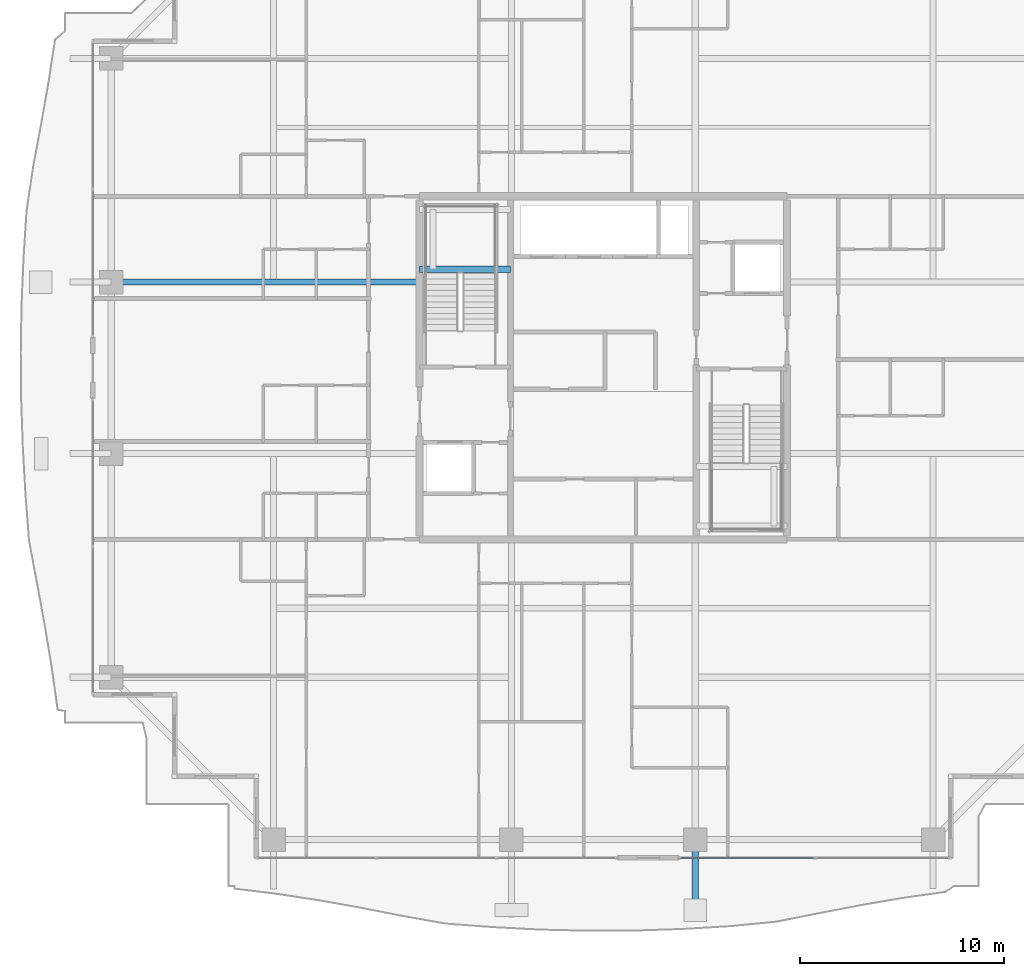
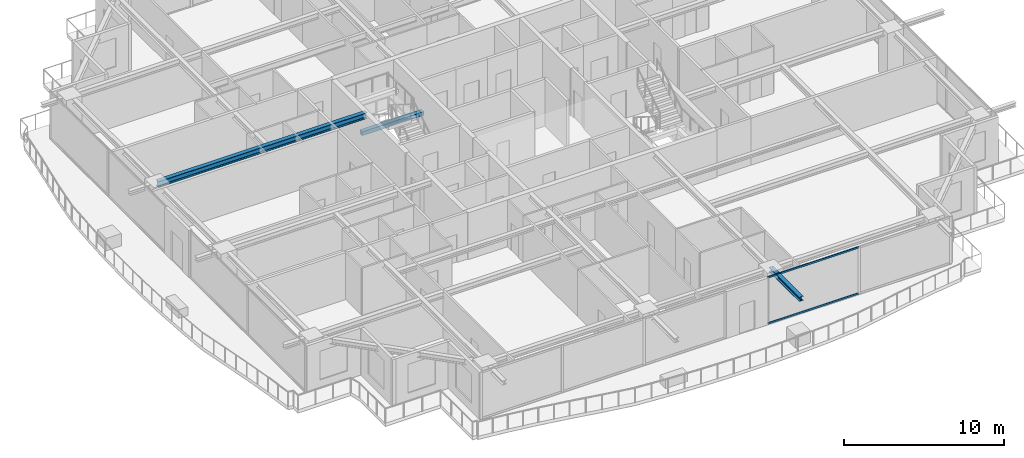
# One storey, part 11 of 36: 3 beams, 2 members, 1 element without a shape of its own.
"""IFC4 building model written with IfcOpenShell, lengths in metres."""

from ifc_helpers import new_model, si_unit, direction, frame, origin, origin_2d, place, context, subcontext, project, spatial, rectangle, hollow_rectangle, i_section, extrude, source, transform, mapped, material, layer, layer_set, material_profile, profile_set, type_object, element, aggregate, save


model = new_model("IFC4")

# Units and contexts
model_context = context("Model", 3, precision=1e-05, world=origin(), true_north=direction((0.0, 1.0)))
body_context = subcontext(model_context, "Body", "Model", "MODEL_VIEW")
ifc_project = project(units=[si_unit("LENGTHUNIT", "METRE"), si_unit("AREAUNIT", "SQUARE_METRE"), si_unit("VOLUMEUNIT", "CUBIC_METRE"), si_unit("PLANEANGLEUNIT", "RADIAN"), si_unit("MASSUNIT", "GRAM", prefix="KILO")], contexts=[model_context])

# Site, building, storey
site_placement = place(None, origin())
site = spatial("IfcSite", under=ifc_project, at=site_placement, CompositionType="ELEMENT")
building_placement = place(site_placement, origin())
building = spatial("IfcBuilding", under=site, at=building_placement, Name="Serunith Strait Residences", CompositionType="ELEMENT")
storey_placement = place(building_placement, frame((0.0, 0.0, 272.050048828125)))
storey = spatial("IfcBuildingStorey", under=building, at=storey_placement, Name="L68", CompositionType="ELEMENT", Elevation=272.050048828125)

# Beams
ifc_material_1 = material(Name="Steel S355J2", Category="steel")
ifc_material_profile_1 = material_profile(ifc_material_1, i_section(OverallWidth=0.300048828125, OverallDepth=0.449951171875, WebThickness=0.013916015625, FlangeThickness=0.02587890625, FilletRadius=0.027099609375, at=origin_2d()), Name="HEB 450")
ifc_profile_set_1 = profile_set([ifc_material_profile_1], Name="Steel S355J2")
beam_type_1 = type_object("IfcBeamType", Name="BM-HEB450", PredefinedType="BEAM", material=ifc_profile_set_1)
shared_shape_1 = source(origin(), body_context, "Body", "SweptSolid", [
    extrude(i_section(OverallWidth=0.300048828125, OverallDepth=0.449951171875, WebThickness=0.013916015625, FlangeThickness=0.02587890625, FilletRadius=0.027099609375, at=origin_2d()), origin(), (0.0, 0.0, 1.0), 15.099853515625),
])
beam_1_placement = place(storey_placement, frame((23.39990234375, 29.39990234375, 3.362060546875), z_axis=(-1.0, 0.0, 0.0), x_axis=(0.0, -1.0, 0.0)))
element("IfcBeam", 1, at=beam_1_placement, inside=storey, type_object=beam_type_1, Name="L68 Primary Floor Girder TC-W3", PredefinedType="BEAM", context=body_context, shape_type="MappedRepresentation", body=[
    mapped(shared_shape_1, transform((0.0, 0.0, 0.0), scale=1.0)),
])
ifc_material_profile_2 = material_profile(ifc_material_1, i_section(OverallWidth=0.300048828125, OverallDepth=0.320068359375, WebThickness=0.011474609375, FlangeThickness=0.0205078125, FilletRadius=0.027099609375, at=origin_2d()), Name="HEB 320")
ifc_profile_set_2 = profile_set([ifc_material_profile_2], Name="Steel S355J2")
beam_type_2 = type_object("IfcBeamType", Name="BM-HEB320", PredefinedType="BEAM", material=ifc_profile_set_2)
shared_shape_2 = source(origin(), body_context, "Body", "SweptSolid", [
    extrude(i_section(OverallWidth=0.300048828125, OverallDepth=0.320068359375, WebThickness=0.011474609375, FlangeThickness=0.0205078125, FilletRadius=0.027099609375, at=origin_2d()), origin(), (0.0, 0.0, 1.0), 3.800048828125),
])
beam_2_placement = place(storey_placement, frame((36.89990234375, 2.10009765625, 3.39697265625), z_axis=(0.0, -1.0, 0.0), x_axis=(1.0, 0.0, 0.0)))
element("IfcBeam", 2, at=beam_2_placement, inside=storey, type_object=beam_type_2, Name="L69 Cantilevered Balcony Rib TC-S3", PredefinedType="BEAM", context=body_context, shape_type="MappedRepresentation", body=[
    mapped(shared_shape_2, transform((0.0, 0.0, 0.0), scale=1.0)),
])
ifc_material_2 = material(Name="Concrete C60/75", Category="concrete")
ifc_material_profile_3 = material_profile(ifc_material_2, rectangle(XDim=0.300048828125, YDim=0.300048828125, at=origin_2d()), Name="RC 300x300")
ifc_profile_set_3 = profile_set([ifc_material_profile_3], Name="Concrete C60/75")
beam_type_3 = type_object("IfcBeamType", Name="BM-LAND-300x300", PredefinedType="BEAM", material=ifc_profile_set_3)
shared_shape_3 = source(origin(), body_context, "Body", "SweptSolid", [
    extrude(rectangle(XDim=0.300048828125, YDim=0.300048828125, at=origin_2d()), origin(), (0.0, 0.0, 1.0), 4.4501953125),
])
beam_3_placement = place(storey_placement, frame((23.39990234375, 30.030029296875, 1.574951171875), z_axis=(1.0, 0.0, 0.0), x_axis=(0.0, 1.0, 0.0)))
element("IfcBeam", 3, at=beam_3_placement, inside=storey, type_object=beam_type_3, Name="L68 ST-1 Landing Support Beam 1", PredefinedType="BEAM", context=body_context, shape_type="MappedRepresentation", body=[
    mapped(shared_shape_3, transform((0.0, 0.0, 0.0), scale=1.0)),
])

# Curtain wall, members
ifc_material_3 = material(Name="Pale-Champagne Anodised Aluminium", Category="aluminium")
ifc_layer = layer(ifc_material_3, 0.199951171875, Name="Pale-Champagne Anodised Aluminium")
ifc_layer_set = layer_set([ifc_layer], Name="Pale-Champagne Anodised Aluminium")
curtain_wall_type = type_object("IfcCurtainWallType", Name="CW-SYS4", PredefinedType="NOTDEFINED", material=ifc_layer_set)
curtain_wall_placement = place(storey_placement, origin())
curtain_wall = element("IfcCurtainWall", 4, at=curtain_wall_placement, inside=storey, type_object=curtain_wall_type, Name="L68 S Unitised Fritted Curtain Wall", PredefinedType="NOTDEFINED")
ifc_material_profile_4 = material_profile(ifc_material_3, hollow_rectangle(XDim=0.06005859375, YDim=0.139892578125, WallThickness=0.00341796875, InnerFilletRadius=0.00537109375, OuterFilletRadius=0.0087890625, at=origin_2d()), Name="ALU 140x60x3.5")
ifc_profile_set_4 = profile_set([ifc_material_profile_4], Name="Pale-Champagne Anodised Aluminium")
member_type = type_object("IfcMemberType", Name="CW-SYS4-TRAN", PredefinedType="USERDEFINED", material=ifc_profile_set_4)
shared_shape_4 = source(origin(), body_context, "Body", "SweptSolid", [
    extrude(hollow_rectangle(XDim=0.06005859375, YDim=0.139892578125, WallThickness=0.00341796875, InnerFilletRadius=0.00537109375, OuterFilletRadius=0.0087890625, at=origin_2d()), origin(), (0.0, 0.0, 1.0), 6.552490234375),
])
member_1_placement = place(storey_placement, frame((36.1650390625, 1.199951171875, 0.030029296875), z_axis=(1.0, 0.0, 0.0), x_axis=(0.0, 1.0, 0.0)))
member_1 = element("IfcMember", 5, at=member_1_placement, type_object=member_type, Name="CW-4 transom 1.1", ObjectType="TRANSOM", PredefinedType="USERDEFINED", context=body_context, shape_type="MappedRepresentation", body=[
    mapped(shared_shape_4, transform((0.0, 0.0, 0.0), scale=1.0)),
])
member_2_placement = place(storey_placement, frame((36.1650390625, 1.199951171875, 3.544921875), z_axis=(1.0, 0.0, 0.0), x_axis=(0.0, 1.0, 0.0)))
member_2 = element("IfcMember", 6, at=member_2_placement, type_object=member_type, Name="CW-4 transom 1.2", ObjectType="TRANSOM", PredefinedType="USERDEFINED", context=body_context, shape_type="MappedRepresentation", body=[
    mapped(shared_shape_4, transform((0.0, 0.0, 0.0), scale=1.0)),
])
aggregate(curtain_wall, [member_1, member_2])

save(model, "model.ifc")
